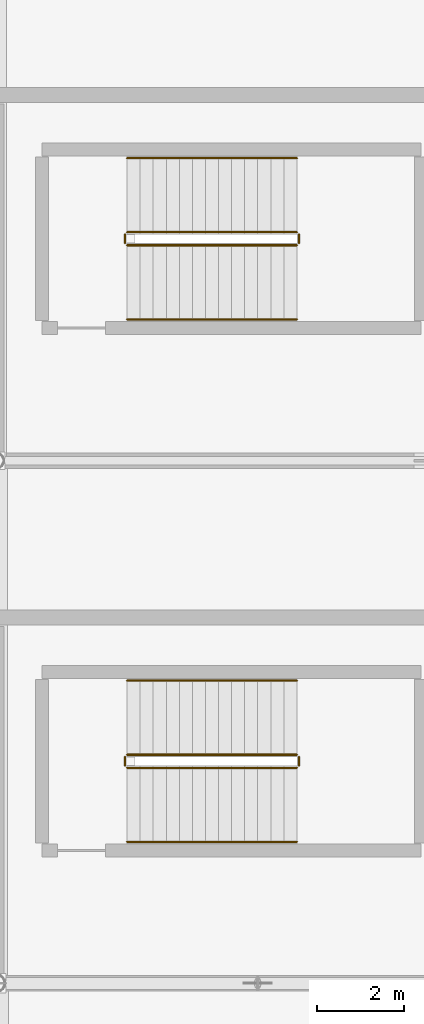
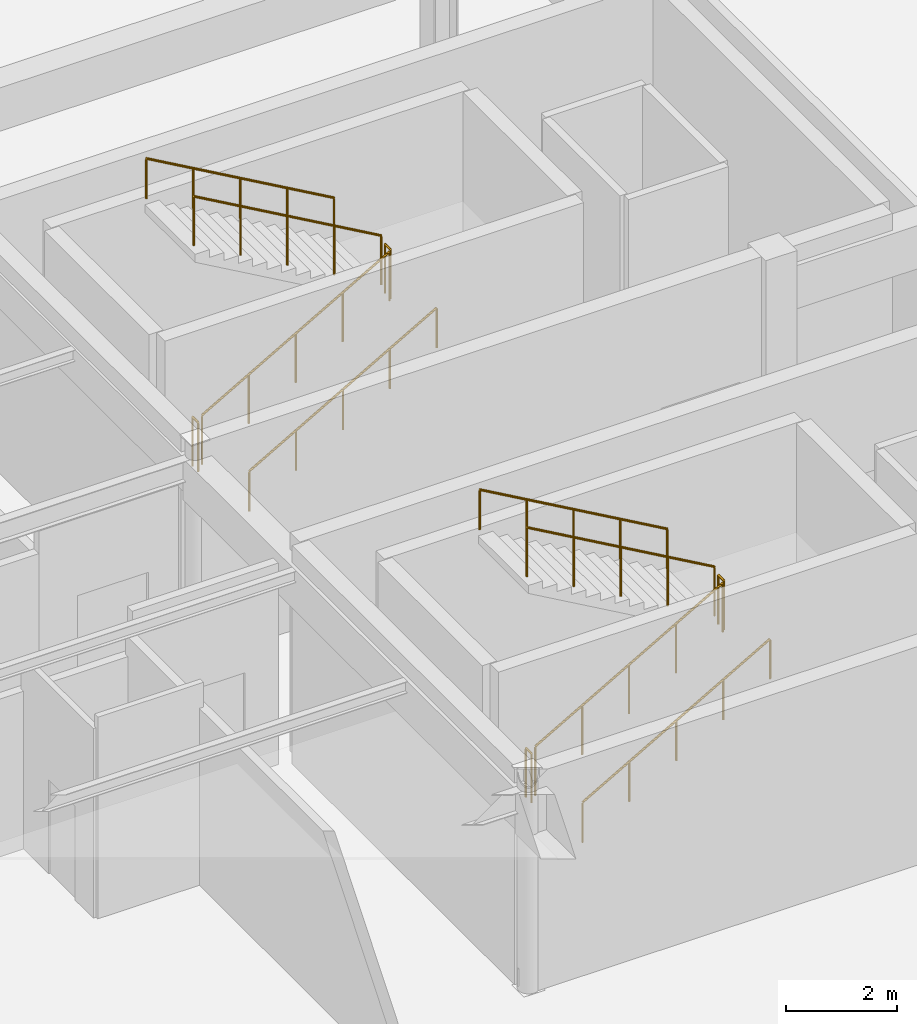
# One storey, part 208 of 226: 12 railings.
"""IFC4 building model written with IfcOpenShell, lengths in metres."""

from ifc_helpers import new_model, si_unit, direction, frame, origin, origin_2d, place, context, subcontext, project, spatial, circle, extrude, material, type_object, element, save


model = new_model("IFC4")

# Units and contexts
model_context = context("Model", 3, precision=1e-05, world=origin(), true_north=direction((0.0, 1.0)))
body_context = subcontext(model_context, "Body", "Model", "MODEL_VIEW")
ifc_project = project(units=[si_unit("LENGTHUNIT", "METRE"), si_unit("AREAUNIT", "SQUARE_METRE"), si_unit("VOLUMEUNIT", "CUBIC_METRE"), si_unit("PLANEANGLEUNIT", "RADIAN"), si_unit("MASSUNIT", "GRAM", prefix="KILO")], contexts=[model_context])

# Site, building, storey
site_placement = place(None, origin())
site = spatial("IfcSite", under=ifc_project, at=site_placement, CompositionType="ELEMENT")
building_placement = place(site_placement, origin())
building = spatial("IfcBuilding", under=site, at=building_placement, Name="Tarnwether General Hospital", CompositionType="ELEMENT")
storey_placement = place(building_placement, frame((0.0, 0.0, 4.800048828125)))
storey = spatial("IfcBuildingStorey", under=building, at=storey_placement, Name="L01", CompositionType="ELEMENT", Elevation=4.800048828125)

# Railings
ifc_material_1 = material(Name="Anodised aluminium", Category="aluminium")
railing_type_1 = type_object("IfcRailingType", Name="RL-GRD-INT", PredefinedType="GUARDRAIL", material=ifc_material_1)
railing_1_placement = place(storey_placement, frame((27.0, 74.550048828125, 0.17138671875)))
element("IfcRailing", 1, at=railing_1_placement, inside=storey, type_object=railing_type_1, Name="L01 ST-03 stair guard 1", PredefinedType="GUARDRAIL", context=body_context, shape_type="SweptSolid", body=[
    extrude(circle(Radius=0.02392578125, at=origin_2d()), frame((0.0, 0.0, 1.076171875), z_axis=(0.868243142124, 0.0, 0.496138938357), x_axis=(0.0, 1.0, 0.0)), (0.0, 0.0, 1.0), 4.49169921875),
    extrude(circle(Radius=0.02099609375, at=origin_2d()), origin(), (0.0, 0.0, 1.0), 1.052001953125),
    extrude(circle(Radius=0.02099609375, at=origin_2d()), frame((0.97509765625, 0.0, 0.55712890625)), (0.0, 0.0, 1.0), 1.052001953125),
    extrude(circle(Radius=0.02099609375, at=origin_2d()), frame((1.949951171875, 0.0, 1.1142578125)), (0.0, 0.0, 1.0), 1.052001953125),
    extrude(circle(Radius=0.02099609375, at=origin_2d()), frame((2.9248046875, 0.0, 1.67138671875)), (0.0, 0.0, 1.0), 1.052001953125),
    extrude(circle(Radius=0.02099609375, at=origin_2d()), frame((3.89990234375, 0.0, 2.228515625)), (0.0, 0.0, 1.0), 1.052001953125),
])
railing_2_placement = place(storey_placement, frame((30.949951171875, 74.60009765625, 2.39990234375)))
element("IfcRailing", 2, at=railing_2_placement, inside=storey, type_object=railing_type_1, Name="L01 ST-03 stair guard 2", PredefinedType="GUARDRAIL", context=body_context, shape_type="SweptSolid", body=[
    extrude(circle(Radius=0.02392578125, at=origin_2d()), frame((0.0, 0.0, 1.076171875), z_axis=(0.0, 1.0, 0.0), x_axis=(-1.0, 0.0, 0.0)), (0.0, 0.0, 1.0), 0.199951171875),
    extrude(circle(Radius=0.02099609375, at=origin_2d()), origin(), (0.0, 0.0, 1.0), 1.052001953125),
    extrude(circle(Radius=0.02099609375, at=origin_2d()), frame((0.0, 0.199951171875, 0.0)), (0.0, 0.0, 1.0), 1.052001953125),
])
railing_3_placement = place(storey_placement, frame((30.89990234375, 74.85009765625, 2.5712890625)))
element("IfcRailing", 3, at=railing_3_placement, inside=storey, type_object=railing_type_1, Name="L01 ST-03 stair guard 3", PredefinedType="GUARDRAIL", context=body_context, shape_type="SweptSolid", body=[
    extrude(circle(Radius=0.02392578125, at=origin_2d()), frame((0.0, 0.0, 1.076171875), z_axis=(-0.868219727965, 0.0, 0.496179910892), x_axis=(0.0, -1.0, 0.0)), (0.0, 0.0, 1.0), 4.491943359375),
    extrude(circle(Radius=0.02099609375, at=origin_2d()), origin(), (0.0, 0.0, 1.0), 1.052001953125),
    extrude(circle(Radius=0.02099609375, at=origin_2d()), frame((-0.97509765625, 0.0, 0.55712890625)), (0.0, 0.0, 1.0), 1.052001953125),
    extrude(circle(Radius=0.02099609375, at=origin_2d()), frame((-1.949951171875, 0.0, 1.1142578125)), (0.0, 0.0, 1.0), 1.052001953125),
    extrude(circle(Radius=0.02099609375, at=origin_2d()), frame((-2.9248046875, 0.0, 1.671630859375)), (0.0, 0.0, 1.0), 1.052001953125),
    extrude(circle(Radius=0.02099609375, at=origin_2d()), frame((-3.89990234375, 0.0, 2.228759765625)), (0.0, 0.0, 1.0), 1.052001953125),
])
railing_4_placement = place(storey_placement, frame((26.949951171875, 74.60009765625, 0.0)))
element("IfcRailing", 4, at=railing_4_placement, inside=storey, type_object=railing_type_1, Name="L01 ST-03 stair guard 4", PredefinedType="GUARDRAIL", context=body_context, shape_type="SweptSolid", body=[
    extrude(circle(Radius=0.02392578125, at=origin_2d()), frame((0.0, 0.0, 1.076171875), z_axis=(0.0, 1.0, 0.0), x_axis=(-1.0, 0.0, 0.0)), (0.0, 0.0, 1.0), 0.199951171875),
    extrude(circle(Radius=0.02099609375, at=origin_2d()), origin(), (0.0, 0.0, 1.0), 1.052001953125),
    extrude(circle(Radius=0.02099609375, at=origin_2d()), frame((0.0, 0.199951171875, 0.0)), (0.0, 0.0, 1.0), 1.052001953125),
])
railing_5_placement = place(storey_placement, frame((27.0, 86.550048828125, 0.17138671875)))
element("IfcRailing", 5, at=railing_5_placement, inside=storey, type_object=railing_type_1, Name="L01 ST-04 stair guard 1", PredefinedType="GUARDRAIL", context=body_context, shape_type="SweptSolid", body=[
    extrude(circle(Radius=0.02392578125, at=origin_2d()), frame((0.0, 0.0, 1.076171875), z_axis=(0.868243142124, 0.0, 0.496138938357), x_axis=(0.0, 1.0, 0.0)), (0.0, 0.0, 1.0), 4.49169921875),
    extrude(circle(Radius=0.02099609375, at=origin_2d()), origin(), (0.0, 0.0, 1.0), 1.052001953125),
    extrude(circle(Radius=0.02099609375, at=origin_2d()), frame((0.97509765625, 0.0, 0.55712890625)), (0.0, 0.0, 1.0), 1.052001953125),
    extrude(circle(Radius=0.02099609375, at=origin_2d()), frame((1.949951171875, 0.0, 1.1142578125)), (0.0, 0.0, 1.0), 1.052001953125),
    extrude(circle(Radius=0.02099609375, at=origin_2d()), frame((2.9248046875, 0.0, 1.67138671875)), (0.0, 0.0, 1.0), 1.052001953125),
    extrude(circle(Radius=0.02099609375, at=origin_2d()), frame((3.89990234375, 0.0, 2.228515625)), (0.0, 0.0, 1.0), 1.052001953125),
])
railing_6_placement = place(storey_placement, frame((30.949951171875, 86.60009765625, 2.39990234375)))
element("IfcRailing", 6, at=railing_6_placement, inside=storey, type_object=railing_type_1, Name="L01 ST-04 stair guard 2", PredefinedType="GUARDRAIL", context=body_context, shape_type="SweptSolid", body=[
    extrude(circle(Radius=0.02392578125, at=origin_2d()), frame((0.0, 0.0, 1.076171875), z_axis=(0.0, 1.0, 0.0), x_axis=(-1.0, 0.0, 0.0)), (0.0, 0.0, 1.0), 0.199951171875),
    extrude(circle(Radius=0.02099609375, at=origin_2d()), origin(), (0.0, 0.0, 1.0), 1.052001953125),
    extrude(circle(Radius=0.02099609375, at=origin_2d()), frame((0.0, 0.199951171875, 0.0)), (0.0, 0.0, 1.0), 1.052001953125),
])
railing_7_placement = place(storey_placement, frame((30.89990234375, 86.85009765625, 2.5712890625)))
element("IfcRailing", 7, at=railing_7_placement, inside=storey, type_object=railing_type_1, Name="L01 ST-04 stair guard 3", PredefinedType="GUARDRAIL", context=body_context, shape_type="SweptSolid", body=[
    extrude(circle(Radius=0.02392578125, at=origin_2d()), frame((0.0, 0.0, 1.076171875), z_axis=(-0.868219727965, 0.0, 0.496179910892), x_axis=(0.0, -1.0, 0.0)), (0.0, 0.0, 1.0), 4.491943359375),
    extrude(circle(Radius=0.02099609375, at=origin_2d()), origin(), (0.0, 0.0, 1.0), 1.052001953125),
    extrude(circle(Radius=0.02099609375, at=origin_2d()), frame((-0.97509765625, 0.0, 0.55712890625)), (0.0, 0.0, 1.0), 1.052001953125),
    extrude(circle(Radius=0.02099609375, at=origin_2d()), frame((-1.949951171875, 0.0, 1.1142578125)), (0.0, 0.0, 1.0), 1.052001953125),
    extrude(circle(Radius=0.02099609375, at=origin_2d()), frame((-2.9248046875, 0.0, 1.671630859375)), (0.0, 0.0, 1.0), 1.052001953125),
    extrude(circle(Radius=0.02099609375, at=origin_2d()), frame((-3.89990234375, 0.0, 2.228759765625)), (0.0, 0.0, 1.0), 1.052001953125),
])
railing_8_placement = place(storey_placement, frame((26.949951171875, 86.60009765625, 0.0)))
element("IfcRailing", 8, at=railing_8_placement, inside=storey, type_object=railing_type_1, Name="L01 ST-04 stair guard 4", PredefinedType="GUARDRAIL", context=body_context, shape_type="SweptSolid", body=[
    extrude(circle(Radius=0.02392578125, at=origin_2d()), frame((0.0, 0.0, 1.076171875), z_axis=(0.0, 1.0, 0.0), x_axis=(-1.0, 0.0, 0.0)), (0.0, 0.0, 1.0), 0.199951171875),
    extrude(circle(Radius=0.02099609375, at=origin_2d()), origin(), (0.0, 0.0, 1.0), 1.052001953125),
    extrude(circle(Radius=0.02099609375, at=origin_2d()), frame((0.0, 0.199951171875, 0.0)), (0.0, 0.0, 1.0), 1.052001953125),
])
ifc_material_2 = material(Name="Anodised aluminium", Category="aluminium")
railing_type_2 = type_object("IfcRailingType", Name="RL-HND-INT", PredefinedType="HANDRAIL", material=ifc_material_2)
railing_9_placement = place(storey_placement, frame((27.0, 72.85009765625, 0.17138671875)))
element("IfcRailing", 9, at=railing_9_placement, inside=storey, type_object=railing_type_2, Name="L01 ST-03 stair handrail 1", PredefinedType="HANDRAIL", context=body_context, shape_type="SweptSolid", body=[
    extrude(circle(Radius=0.02392578125, at=origin_2d()), frame((0.0, 0.0, 0.8759765625), z_axis=(0.868243142124, 0.0, 0.496138938357), x_axis=(0.0, 1.0, 0.0)), (0.0, 0.0, 1.0), 4.49169921875),
    extrude(circle(Radius=0.02099609375, at=origin_2d()), origin(), (0.0, 0.0, 1.0), 0.851806640625),
    extrude(circle(Radius=0.02099609375, at=origin_2d()), frame((0.97509765625, 0.0, 0.55712890625)), (0.0, 0.0, 1.0), 0.851806640625),
    extrude(circle(Radius=0.02099609375, at=origin_2d()), frame((1.949951171875, 0.0, 1.1142578125)), (0.0, 0.0, 1.0), 0.851806640625),
    extrude(circle(Radius=0.02099609375, at=origin_2d()), frame((2.9248046875, 0.0, 1.67138671875)), (0.0, 0.0, 1.0), 0.851806640625),
    extrude(circle(Radius=0.02099609375, at=origin_2d()), frame((3.89990234375, 0.0, 2.228515625)), (0.0, 0.0, 1.0), 0.851806640625),
])
railing_10_placement = place(storey_placement, frame((30.89990234375, 76.550048828125, 2.5712890625)))
element("IfcRailing", 10, at=railing_10_placement, inside=storey, type_object=railing_type_2, Name="L01 ST-03 stair handrail 2", PredefinedType="HANDRAIL", context=body_context, shape_type="SweptSolid", body=[
    extrude(circle(Radius=0.02392578125, at=origin_2d()), frame((0.0, 0.0, 0.8759765625), z_axis=(-0.868219727965, 0.0, 0.496179910892), x_axis=(0.0, -1.0, 0.0)), (0.0, 0.0, 1.0), 4.491943359375),
    extrude(circle(Radius=0.02099609375, at=origin_2d()), origin(), (0.0, 0.0, 1.0), 0.851806640625),
    extrude(circle(Radius=0.02099609375, at=origin_2d()), frame((-0.97509765625, 0.0, 0.55712890625)), (0.0, 0.0, 1.0), 0.851806640625),
    extrude(circle(Radius=0.02099609375, at=origin_2d()), frame((-1.949951171875, 0.0, 1.1142578125)), (0.0, 0.0, 1.0), 0.851806640625),
    extrude(circle(Radius=0.02099609375, at=origin_2d()), frame((-2.9248046875, 0.0, 1.671630859375)), (0.0, 0.0, 1.0), 0.851806640625),
    extrude(circle(Radius=0.02099609375, at=origin_2d()), frame((-3.89990234375, 0.0, 2.228759765625)), (0.0, 0.0, 1.0), 0.851806640625),
])
railing_11_placement = place(storey_placement, frame((27.0, 84.85009765625, 0.17138671875)))
element("IfcRailing", 11, at=railing_11_placement, inside=storey, type_object=railing_type_2, Name="L01 ST-04 stair handrail 1", PredefinedType="HANDRAIL", context=body_context, shape_type="SweptSolid", body=[
    extrude(circle(Radius=0.02392578125, at=origin_2d()), frame((0.0, 0.0, 0.8759765625), z_axis=(0.868243142124, 0.0, 0.496138938357), x_axis=(0.0, 1.0, 0.0)), (0.0, 0.0, 1.0), 4.49169921875),
    extrude(circle(Radius=0.02099609375, at=origin_2d()), origin(), (0.0, 0.0, 1.0), 0.851806640625),
    extrude(circle(Radius=0.02099609375, at=origin_2d()), frame((0.97509765625, 0.0, 0.55712890625)), (0.0, 0.0, 1.0), 0.851806640625),
    extrude(circle(Radius=0.02099609375, at=origin_2d()), frame((1.949951171875, 0.0, 1.1142578125)), (0.0, 0.0, 1.0), 0.851806640625),
    extrude(circle(Radius=0.02099609375, at=origin_2d()), frame((2.9248046875, 0.0, 1.67138671875)), (0.0, 0.0, 1.0), 0.851806640625),
    extrude(circle(Radius=0.02099609375, at=origin_2d()), frame((3.89990234375, 0.0, 2.228515625)), (0.0, 0.0, 1.0), 0.851806640625),
])
railing_12_placement = place(storey_placement, frame((30.89990234375, 88.550048828125, 2.5712890625)))
element("IfcRailing", 12, at=railing_12_placement, inside=storey, type_object=railing_type_2, Name="L01 ST-04 stair handrail 2", PredefinedType="HANDRAIL", context=body_context, shape_type="SweptSolid", body=[
    extrude(circle(Radius=0.02392578125, at=origin_2d()), frame((0.0, 0.0, 0.8759765625), z_axis=(-0.868219727965, 0.0, 0.496179910892), x_axis=(0.0, -1.0, 0.0)), (0.0, 0.0, 1.0), 4.491943359375),
    extrude(circle(Radius=0.02099609375, at=origin_2d()), origin(), (0.0, 0.0, 1.0), 0.851806640625),
    extrude(circle(Radius=0.02099609375, at=origin_2d()), frame((-0.97509765625, 0.0, 0.55712890625)), (0.0, 0.0, 1.0), 0.851806640625),
    extrude(circle(Radius=0.02099609375, at=origin_2d()), frame((-1.949951171875, 0.0, 1.1142578125)), (0.0, 0.0, 1.0), 0.851806640625),
    extrude(circle(Radius=0.02099609375, at=origin_2d()), frame((-2.9248046875, 0.0, 1.671630859375)), (0.0, 0.0, 1.0), 0.851806640625),
    extrude(circle(Radius=0.02099609375, at=origin_2d()), frame((-3.89990234375, 0.0, 2.228759765625)), (0.0, 0.0, 1.0), 0.851806640625),
])

save(model, "model.ifc")
